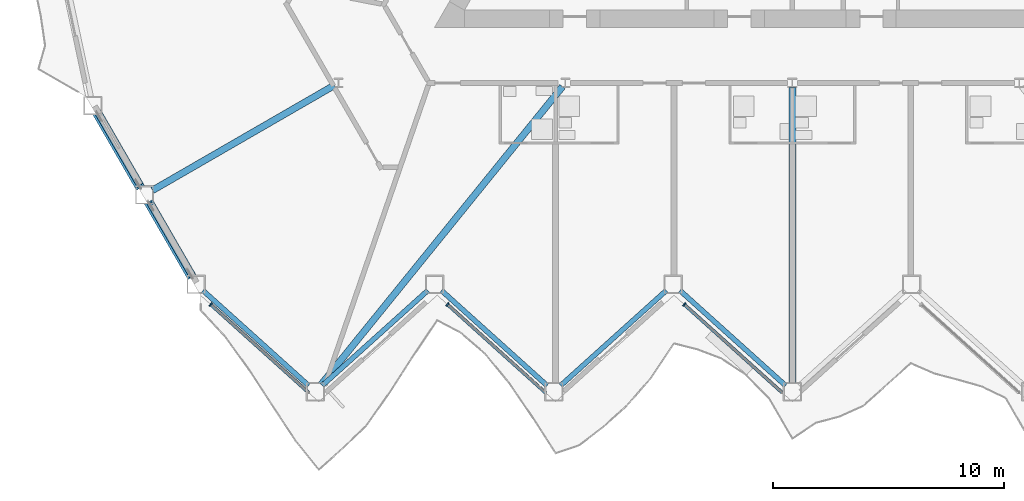
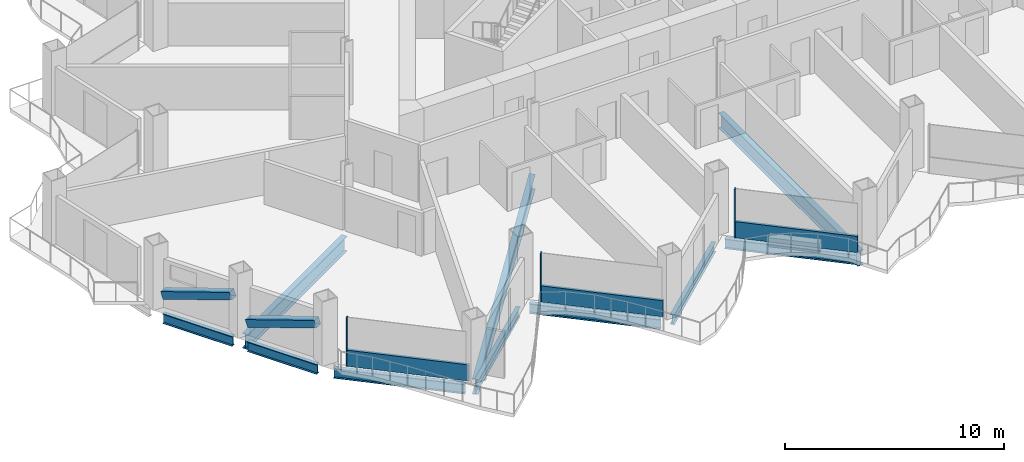
# One storey, part 3 of 23: 10 beams, 8 members, 3 elements without a shape of their own.
"""IFC4 building model written with IfcOpenShell, lengths in metres."""

from ifc_helpers import new_model, si_unit, direction, frame, origin, origin_2d, place, context, subcontext, project, spatial, rectangle, hollow_rectangle, i_section, extrude, material, layer, layer_set, material_profile, profile_set, type_object, element, aggregate, save


model = new_model("IFC4")

# Units and contexts
model_context = context("Model", 3, precision=1e-05, world=origin(), true_north=direction((0.0, 1.0)))
body_context = subcontext(model_context, "Body", "Model", "MODEL_VIEW")
ifc_project = project(units=[si_unit("LENGTHUNIT", "METRE"), si_unit("AREAUNIT", "SQUARE_METRE"), si_unit("VOLUMEUNIT", "CUBIC_METRE"), si_unit("PLANEANGLEUNIT", "RADIAN"), si_unit("MASSUNIT", "GRAM", prefix="KILO")], contexts=[model_context])

# Site, building, storey
site_placement = place(None, origin())
site = spatial("IfcSite", under=ifc_project, at=site_placement, CompositionType="ELEMENT")
building_placement = place(site_placement, origin())
building = spatial("IfcBuilding", under=site, at=building_placement, Name="Cormorant Prow Tower", CompositionType="ELEMENT")
storey_placement = place(building_placement, frame((0.0, 0.0, 187.199951171875)))
storey = spatial("IfcBuildingStorey", under=building, at=storey_placement, Name="L40", CompositionType="ELEMENT", Elevation=187.199951171875)

# Members
ifc_material_1 = material(Name="Structural steel ASTM A500 Gr C", Category="steel")
ifc_material_profile_1 = material_profile(ifc_material_1, hollow_rectangle(XDim=0.406494140625, YDim=0.406494140625, WallThickness=0.01171875, at=origin_2d()), Name="HSS16x16x1/2")
ifc_profile_set_1 = profile_set([ifc_material_profile_1], Name="Structural steel ASTM A500 Gr C")
member_type_1 = type_object("IfcMemberType", Name="Chamfer brace HSS16x16x1/2", PredefinedType="BRACE", material=ifc_profile_set_1)
member_1_placement = place(storey_placement, frame((-30.08544921875, -12.689453125, 0.739990234375), z_axis=(0.473983276796, -0.820989698857, 0.31830137871), x_axis=(0.866032413668, 0.499987858329, 0.0)))
element("IfcMember", 1, at=member_1_placement, inside=storey, type_object=member_type_1, Name="Chamfer brace BR2 at WSW00 L40", PredefinedType="BRACE", context=body_context, shape_type="SweptSolid", body=[
    extrude(hollow_rectangle(XDim=0.406494140625, YDim=0.406494140625, WallThickness=0.01171875, at=origin_2d()), origin(), (0.0, 0.0, 1.0), 3.8359375),
])
member_2_placement = place(storey_placement, frame((-27.850341796875, -16.56103515625, 0.739990234375), z_axis=(0.47400804529, -0.820968949664, 0.318318011883), x_axis=(0.866015628144, 0.500016931523, 0.0)))
element("IfcMember", 2, at=member_2_placement, inside=storey, type_object=member_type_1, Name="Chamfer brace BR2 at WSW01 L40", PredefinedType="BRACE", context=body_context, shape_type="SweptSolid", body=[
    extrude(hollow_rectangle(XDim=0.406494140625, YDim=0.406494140625, WallThickness=0.01171875, at=origin_2d()), origin(), (0.0, 0.0, 1.0), 3.835693359375),
])

# Curtain wall, member
ifc_material_2 = material(Name="Aluminium 6063-T6", Category="aluminium")
ifc_layer = layer(ifc_material_2, 0.179931640625)
ifc_layer_set = layer_set([ifc_layer], Name="Aluminium 6063-T6")
curtain_wall_type = type_object("IfcCurtainWallType", Name="Hotel unitised curtain wall 180", PredefinedType="NOTDEFINED", material=ifc_layer_set)
curtain_wall_1_placement = place(storey_placement, origin())
curtain_wall_1 = element("IfcCurtainWall", 3, at=curtain_wall_1_placement, inside=storey, type_object=curtain_wall_type, Name="Hotel curtain wall S00", PredefinedType="NOTDEFINED")
ifc_material_3 = material(Name="Aluminium 6063-T6", Category="aluminium")
ifc_material_profile_2 = material_profile(ifc_material_3, rectangle(XDim=0.179931640625, YDim=0.06005859375, at=origin_2d()), Name="Hotel mullion 60x180")
ifc_profile_set_2 = profile_set([ifc_material_profile_2], Name="Aluminium 6063-T6")
member_type_2 = type_object("IfcMemberType", Name="Hotel mullion 60x180", PredefinedType="MULLION", material=ifc_profile_set_2)
member_3_placement = place(storey_placement, frame((-25.191162109375, -20.94189453125, 0.0), z_axis=(0.0, 0.0, 1.0), x_axis=(0.669130655957, 0.743144780819, 0.0)))
member_3 = element("IfcMember", 4, at=member_3_placement, type_object=member_type_2, Name="Hotel mullion S00", PredefinedType="MULLION", context=body_context, shape_type="SweptSolid", body=[
    extrude(rectangle(XDim=0.179931640625, YDim=0.06005859375, at=origin_2d()), origin(), (0.0, 0.0, 1.0), 2.700927734375),
])

curtain_wall_2_placement = place(storey_placement, origin())
curtain_wall_2 = element("IfcCurtainWall", 5, at=curtain_wall_2_placement, inside=storey, type_object=curtain_wall_type, Name="Hotel curtain wall S02", PredefinedType="NOTDEFINED")
member_4_placement = place(storey_placement, frame((-14.93701171875, -20.94189453125, 0.0), z_axis=(0.0, 0.0, 1.0), x_axis=(0.669130583881, 0.743144845716, 0.0)))
member_4 = element("IfcMember", 6, at=member_4_placement, type_object=member_type_2, Name="Hotel mullion S02", PredefinedType="MULLION", context=body_context, shape_type="SweptSolid", body=[
    extrude(rectangle(XDim=0.179931640625, YDim=0.06005859375, at=origin_2d()), origin(), (0.0, 0.0, 1.0), 2.700927734375),
])

curtain_wall_3_placement = place(storey_placement, origin())
curtain_wall_3 = element("IfcCurtainWall", 7, at=curtain_wall_3_placement, inside=storey, type_object=curtain_wall_type, Name="Hotel curtain wall S04", PredefinedType="NOTDEFINED")
member_5_placement = place(storey_placement, frame((-4.6826171875, -20.94189453125, 0.0), z_axis=(0.0, 0.0, 1.0), x_axis=(0.669130583881, 0.743144845716, 0.0)))
member_5 = element("IfcMember", 8, at=member_5_placement, type_object=member_type_2, Name="Hotel mullion S04", PredefinedType="MULLION", context=body_context, shape_type="SweptSolid", body=[
    extrude(rectangle(XDim=0.179931640625, YDim=0.06005859375, at=origin_2d()), origin(), (0.0, 0.0, 1.0), 2.700927734375),
])

# Member
ifc_material_4 = material(Name="Terracotta", Category="masonry")
ifc_material_profile_3 = material_profile(ifc_material_4, rectangle(XDim=0.139892578125, YDim=0.89990234375, at=origin_2d()), Name="Hotel terracotta spandrel rail 140x900")
ifc_profile_set_3 = profile_set([ifc_material_profile_3], Name="Terracotta")
member_type_3 = type_object("IfcMemberType", Name="Hotel terracotta spandrel rail 140x900", PredefinedType="USERDEFINED", material=ifc_profile_set_3)
member_6_placement = place(storey_placement, frame((-25.1689453125, -20.9619140625, 0.449951171875), z_axis=(0.74314512794, -0.66913027044, 0.0), x_axis=(0.66913027044, 0.74314512794, 0.0)))
member_6 = element("IfcMember", 9, at=member_6_placement, type_object=member_type_3, Name="Hotel spandrel rail S00", ObjectType="TRANSOM", PredefinedType="USERDEFINED", context=body_context, shape_type="SweptSolid", body=[
    extrude(rectangle(XDim=0.139892578125, YDim=0.89990234375, at=origin_2d()), origin(), (0.0, 0.0, 1.0), 5.703125),
])

aggregate(curtain_wall_1, [member_3, member_6])

member_7_placement = place(storey_placement, frame((-14.91455078125, -20.9619140625, 0.449951171875), z_axis=(0.74314512794, -0.66913027044, 0.0), x_axis=(0.66913027044, 0.74314512794, 0.0)))
member_7 = element("IfcMember", 10, at=member_7_placement, type_object=member_type_3, Name="Hotel spandrel rail S02", ObjectType="TRANSOM", PredefinedType="USERDEFINED", context=body_context, shape_type="SweptSolid", body=[
    extrude(rectangle(XDim=0.139892578125, YDim=0.89990234375, at=origin_2d()), origin(), (0.0, 0.0, 1.0), 5.703125),
])

aggregate(curtain_wall_2, [member_4, member_7])

member_8_placement = place(storey_placement, frame((-4.660400390625, -20.9619140625, 0.449951171875), z_axis=(0.74314512794, -0.66913027044, 0.0), x_axis=(0.66913027044, 0.74314512794, 0.0)))
member_8 = element("IfcMember", 11, at=member_8_placement, type_object=member_type_3, Name="Hotel spandrel rail S04", ObjectType="TRANSOM", PredefinedType="USERDEFINED", context=body_context, shape_type="SweptSolid", body=[
    extrude(rectangle(XDim=0.139892578125, YDim=0.89990234375, at=origin_2d()), origin(), (0.0, 0.0, 1.0), 5.703125),
])

aggregate(curtain_wall_3, [member_5, member_8])

# Beams
ifc_material_5 = material(Name="Structural steel ASTM A992 Gr 50", Category="steel")
ifc_material_profile_4 = material_profile(ifc_material_5, i_section(OverallWidth=0.29296875, OverallDepth=0.845703125, WebThickness=0.015380859375, FlangeThickness=0.0244140625, at=origin_2d()), Name="W33x141")
ifc_profile_set_4 = profile_set([ifc_material_profile_4], Name="Structural steel ASTM A992 Gr 50")
beam_type_1 = type_object("IfcBeamType", Name="Radial floor beam W33x141", PredefinedType="BEAM", material=ifc_profile_set_4)
beam_1_placement = place(storey_placement, frame((-19.833251953125, -11.45068359375, -0.77294921875), z_axis=(-0.866023373109, -0.500003517217, 0.0), x_axis=(0.500003517217, -0.866023373109, 0.0)))
element("IfcBeam", 12, at=beam_1_placement, inside=storey, type_object=beam_type_1, Name="Radial floor beam FB2 5 L40", PredefinedType="BEAM", context=body_context, shape_type="SweptSolid", body=[
    extrude(i_section(OverallWidth=0.29296875, OverallDepth=0.845703125, WebThickness=0.015380859375, FlangeThickness=0.0244140625, at=origin_2d()), origin(), (0.0, 0.0, 1.0), 9.09814453125),
])
beam_2_placement = place(storey_placement, frame((-9.95654296875, -11.50732421875, -0.77294921875), z_axis=(-0.629385162657, -0.777093505974, 0.0), x_axis=(0.777093505974, -0.629385162657, 0.0)))
element("IfcBeam", 13, at=beam_2_placement, inside=storey, type_object=beam_type_1, Name="Radial floor beam FB2 6 L40", PredefinedType="BEAM", context=body_context, shape_type="SweptSolid", body=[
    extrude(i_section(OverallWidth=0.29296875, OverallDepth=0.845703125, WebThickness=0.015380859375, FlangeThickness=0.0244140625, at=origin_2d()), origin(), (0.0, 0.0, 1.0), 16.6044921875),
])
beam_3_placement = place(storey_placement, frame((0.0, -11.552734375, -0.77294921875), z_axis=(0.0, -1.0, 0.0), x_axis=(1.0, 0.0, 0.0)))
element("IfcBeam", 14, at=beam_3_placement, inside=storey, type_object=beam_type_1, Name="Radial floor beam FB2 7 L40", PredefinedType="BEAM", context=body_context, shape_type="SweptSolid", body=[
    extrude(i_section(OverallWidth=0.29296875, OverallDepth=0.845703125, WebThickness=0.015380859375, FlangeThickness=0.0244140625, at=origin_2d()), origin(), (0.0, 0.0, 1.0), 12.768798828125),
])
ifc_material_6 = material(Name="Structural steel ASTM A992 Gr 50", Category="steel")
ifc_material_profile_5 = material_profile(ifc_material_6, i_section(OverallWidth=0.2138671875, OverallDepth=0.549072265625, WebThickness=0.0146484375, FlangeThickness=0.023681640625, at=origin_2d()), Name="W21x93")
ifc_profile_set_5 = profile_set([ifc_material_profile_5], Name="Structural steel ASTM A992 Gr 50")
beam_type_2 = type_object("IfcBeamType", Name="Spandrel beam W21x93", PredefinedType="SPANDREL", material=ifc_profile_set_5)
beam_4_placement = place(storey_placement, frame((-25.5263671875, -20.3388671875, -0.62451171875), z_axis=(0.743155953285, -0.669118247469, 0.0), x_axis=(0.669118247469, 0.743155953285, 0.0)))
element("IfcBeam", 15, at=beam_4_placement, inside=storey, type_object=beam_type_2, Name="Spandrel beam SB2 S00-S01 L40", PredefinedType="SPANDREL", context=body_context, shape_type="SweptSolid", body=[
    extrude(i_section(OverallWidth=0.2138671875, OverallDepth=0.549072265625, WebThickness=0.0146484375, FlangeThickness=0.023681640625, at=origin_2d()), origin(), (0.0, 0.0, 1.0), 6.14990234375),
])
for number, where, z_axis, x_axis, name in (
    (16, (-20.361572265625, -24.453857421875, -0.62451171875), (0.743138178716, 0.669137988261, 0.0), (-0.669137988261, 0.743138178716, 0.0), "Spandrel beam SB2 S01-S02 L40"),
    (17, (-15.19677734375, -20.3388671875, -0.62451171875), (0.743138178716, -0.669137988261, 0.0), (0.669137988261, 0.743138178716, 0.0), "Spandrel beam SB2 S02-S03 L40"),
):
    element("IfcBeam", number, at=place(storey_placement, frame(where, z_axis=z_axis, x_axis=x_axis)), inside=storey, type_object=beam_type_2, Name=name, PredefinedType="SPANDREL", context=body_context, shape_type="SweptSolid", body=[
        extrude(i_section(OverallWidth=0.2138671875, OverallDepth=0.549072265625, WebThickness=0.0146484375, FlangeThickness=0.023681640625, at=origin_2d()), origin(), (0.0, 0.0, 1.0), 6.149658203125),
    ])
beam_5_placement = place(storey_placement, frame((-10.0322265625, -24.453857421875, -0.62451171875), z_axis=(0.743155953285, 0.669118247469, 0.0), x_axis=(-0.669118247469, 0.743155953285, 0.0)))
element("IfcBeam", 18, at=beam_5_placement, inside=storey, type_object=beam_type_2, Name="Spandrel beam SB2 S03-S04 L40", PredefinedType="SPANDREL", context=body_context, shape_type="SweptSolid", body=[
    extrude(i_section(OverallWidth=0.2138671875, OverallDepth=0.549072265625, WebThickness=0.0146484375, FlangeThickness=0.023681640625, at=origin_2d()), origin(), (0.0, 0.0, 1.0), 6.14990234375),
])
beam_6_placement = place(storey_placement, frame((-4.867431640625, -20.3388671875, -0.62451171875), z_axis=(0.743138178716, -0.669137988261, 0.0), x_axis=(0.669137988261, 0.743138178716, 0.0)))
element("IfcBeam", 19, at=beam_6_placement, inside=storey, type_object=beam_type_2, Name="Spandrel beam SB2 S04-S05 L40", PredefinedType="SPANDREL", context=body_context, shape_type="SweptSolid", body=[
    extrude(i_section(OverallWidth=0.2138671875, OverallDepth=0.549072265625, WebThickness=0.0146484375, FlangeThickness=0.023681640625, at=origin_2d()), origin(), (0.0, 0.0, 1.0), 6.149658203125),
])
for number, where, z_axis, x_axis, name in (
    (20, (-30.093994140625, -12.674560546875, -0.62451171875), (0.499994986164, -0.866028298505, 0.0), (0.866028298505, 0.499994986164, 0.0), "Spandrel beam SB2 WSW00-WSW01 L40"),
    (21, (-27.85888671875, -16.546142578125, -0.62451171875), (0.499994986164, -0.866028298505, 0.0), (0.866028298505, 0.499994986164, 0.0), "Spandrel beam SB2 WSW01-S00 L40"),
):
    element("IfcBeam", number, at=place(storey_placement, frame(where, z_axis=z_axis, x_axis=x_axis)), inside=storey, type_object=beam_type_2, Name=name, PredefinedType="SPANDREL", context=body_context, shape_type="SweptSolid", body=[
        extrude(i_section(OverallWidth=0.2138671875, OverallDepth=0.549072265625, WebThickness=0.0146484375, FlangeThickness=0.023681640625, at=origin_2d()), origin(), (0.0, 0.0, 1.0), 3.67041015625),
    ])

save(model, "model.ifc")
